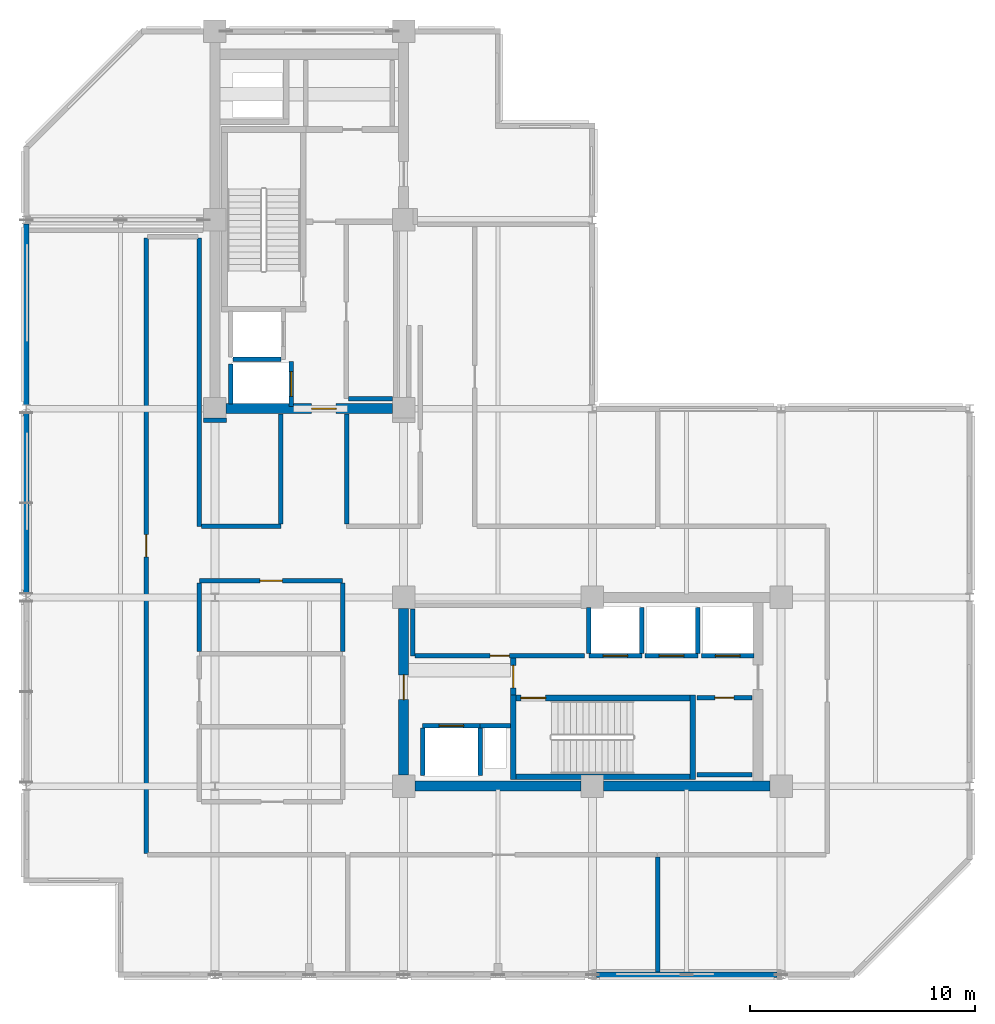
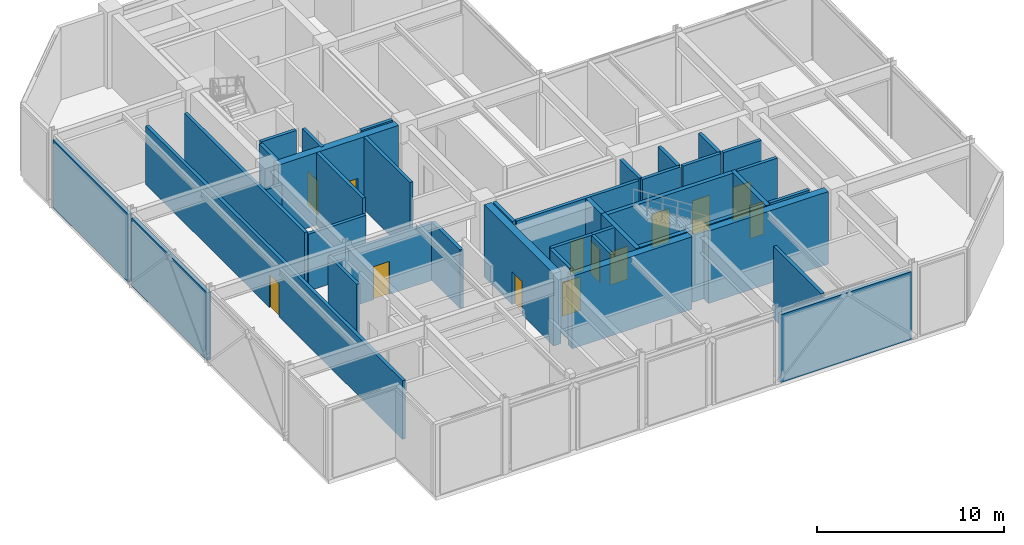
# One storey, part 5 of 10: 40 walls, 13 doors, 13 openings.
"""IFC4 building model written with IfcOpenShell, lengths in metres."""

from ifc_helpers import new_model, si_unit, direction, frame, frame_2d, origin, place, context, subcontext, project, spatial, rectangle, extrude, material, layer, layer_set, type_object, element, fill, save


model = new_model("IFC4")

# Units and contexts
model_context = context("Model", 3, precision=1e-05, world=origin(), true_north=direction((0.0, 1.0)))
body_context = subcontext(model_context, "Body", "Model", "MODEL_VIEW")
ifc_project = project(units=[si_unit("LENGTHUNIT", "METRE"), si_unit("AREAUNIT", "SQUARE_METRE"), si_unit("VOLUMEUNIT", "CUBIC_METRE"), si_unit("PLANEANGLEUNIT", "RADIAN"), si_unit("MASSUNIT", "GRAM", prefix="KILO")], contexts=[model_context])

# Site, building, storey
site_placement = place(None, origin())
site = spatial("IfcSite", under=ifc_project, at=site_placement, CompositionType="ELEMENT")
building_placement = place(site_placement, origin())
building = spatial("IfcBuilding", under=site, at=building_placement, Name="Nerrivon Quay Data Exchange", CompositionType="ELEMENT")
storey_placement = place(building_placement, frame((0.0, 0.0, 245.199951171875)))
storey = spatial("IfcBuildingStorey", under=building, at=storey_placement, Name="L58", CompositionType="ELEMENT", Elevation=245.199951171875)

# Walls
ifc_material_1 = material(Name="Architectural terracotta precast concrete N50 (50 MPa)", Category="masonry")
ifc_layer_1 = layer(ifc_material_1, 0.239990234375)
ifc_layer_set_1 = layer_set([ifc_layer_1], Name="Architectural terracotta precast concrete N50 (50 MPa)")
wall_type_1 = type_object("IfcWallType", Name="EW-PREC-240", PredefinedType="STANDARD", material=ifc_layer_set_1)
wall_1_placement = place(storey_placement, frame((33.425048828125, 0.0, 0.0), z_axis=(0.0, 0.0, 1.0), x_axis=(-1.0, 0.0, 0.0)))
element("IfcWall", 1, at=wall_1_placement, inside=storey, type_object=wall_type_1, Name="L58 Plant Enclosure Wall 3", PredefinedType="STANDARD", context=body_context, shape_type="SweptSolid", body=[
    extrude(rectangle(XDim=8.050048828125, YDim=0.239990234375, at=frame_2d((4.02490234375, 0.0))), origin(), (0.0, 0.0, 1.0), 4.425048828125),
])
wall_2_placement = place(storey_placement, frame((0.0, 16.97509765625, 0.0), z_axis=(0.0, 0.0, 1.0), x_axis=(0.0, 1.0, 0.0)))
element("IfcWall", 2, at=wall_2_placement, inside=storey, type_object=wall_type_1, Name="L58 Plant Enclosure Wall 13", PredefinedType="STANDARD", context=body_context, shape_type="SweptSolid", body=[
    extrude(rectangle(XDim=8.0498046875, YDim=0.239990234375, at=frame_2d((4.02490234375, 0.0))), origin(), (0.0, 0.0, 1.0), 4.425048828125),
])
wall_3_placement = place(storey_placement, frame((0.0, 25.375, 0.0), z_axis=(0.0, 0.0, 1.0), x_axis=(0.0, 1.0, 0.0)))
element("IfcWall", 3, at=wall_3_placement, inside=storey, type_object=wall_type_1, Name="L58 Plant Enclosure Wall 14", PredefinedType="STANDARD", context=body_context, shape_type="SweptSolid", body=[
    extrude(rectangle(XDim=8.050048828125, YDim=0.239990234375, at=frame_2d((4.02490234375, 0.0))), origin(), (0.0, 0.0, 1.0), 4.425048828125),
])

# Wall, opening, door
ifc_material_2 = material(Name="Concrete N50 (50 MPa)", Category="concrete")
ifc_layer_2 = layer(ifc_material_2, 0.449951171875)
ifc_layer_set_2 = layer_set([ifc_layer_2], Name="Concrete N50 (50 MPa)")
wall_type_2 = type_object("IfcWallType", Name="WALL-CW-550", PredefinedType="SHEAR", material=ifc_layer_set_2)
wall_4_placement = place(storey_placement, frame((8.89990234375, 25.199951171875, 0.0), z_axis=(0.0, 0.0, 1.0), x_axis=(1.0, 0.0, 0.0)))
wall_4 = element("IfcWall", 4, at=wall_4_placement, inside=storey, type_object=wall_type_2, Name="L58 West Split-Core Shear Wall WCW-S1", PredefinedType="SHEAR", context=body_context, shape_type="SweptSolid", body=[
    extrude(rectangle(XDim=7.400146484375, YDim=0.449951171875, at=frame_2d((3.7001953125, 0.0))), origin(), (0.0, 0.0, 1.0), 4.72509765625),
])
opening_1_placement = place(wall_4_placement, frame((3.800048828125, 0.0, 0.0)))
opening_1 = element("IfcOpeningElement", 5, at=opening_1_placement, cuts=wall_4, Name="Opening FD-120", PredefinedType="OPENING", context=body_context, shape_type="SweptSolid", body=[
    extrude(rectangle(XDim=1.10009765625, YDim=2.14990234375, at=frame_2d((0.550048828125, 1.074951171875))), frame((0.0, 0.23486328125, 0.0), z_axis=(0.0, -1.0, 0.0), x_axis=(1.0, 0.0, 0.0)), (0.0, 0.0, 1.0), 0.469970703125),
])
ifc_material_3 = material(Name="Powder-coated galvanized steel sheet", Category="steel")
door_type_1 = type_object("IfcDoorType", Name="DR-FD120-1100", OperationType="NOTDEFINED", PredefinedType="DOOR", material=ifc_material_3)
door_1_placement = place(opening_1_placement, origin())
door_1 = element("IfcDoor", 6, at=door_1_placement, inside=storey, type_object=door_type_1, Name="L58 West Core Lobby Fire Door", OperationType="SINGLE_SWING_LEFT", OverallHeight=2.14990234375, OverallWidth=1.10009765625, PredefinedType="DOOR", context=body_context, shape_type="SweptSolid", body=[
    extrude(rectangle(XDim=1.10009765625, YDim=2.14990234375, at=frame_2d((0.550048828125, 1.074951171875))), frame((0.0, 0.02490234375, 0.0), z_axis=(0.0, -1.0, 0.0), x_axis=(1.0, 0.0, 0.0)), (0.0, 0.0, 1.0), 0.050048828125),
])
fill(opening_1, door_1)

# Walls
wall_5_placement = place(storey_placement, frame((17.300048828125, 8.39990234375, 0.0), z_axis=(0.0, 0.0, 1.0), x_axis=(1.0, 0.0, 0.0)))
element("IfcWall", 7, at=wall_5_placement, inside=storey, type_object=wall_type_2, Name="L58 East Split-Core Shear Wall ECW-S1", PredefinedType="SHEAR", context=body_context, shape_type="SweptSolid", body=[
    extrude(rectangle(XDim=7.39990234375, YDim=0.449951171875, at=frame_2d((3.699951171875, 0.0))), origin(), (0.0, 0.0, 1.0), 4.72509765625),
])
wall_6_placement = place(storey_placement, frame((25.699951171875, 8.39990234375, 0.0), z_axis=(0.0, 0.0, 1.0), x_axis=(1.0, 0.0, 0.0)))
element("IfcWall", 8, at=wall_6_placement, inside=storey, type_object=wall_type_2, Name="L58 East Split-Core Shear Wall ECW-S2", PredefinedType="SHEAR", context=body_context, shape_type="SweptSolid", body=[
    extrude(rectangle(XDim=7.400146484375, YDim=0.449951171875, at=frame_2d((3.7001953125, 0.0))), origin(), (0.0, 0.0, 1.0), 4.72509765625),
])

# Wall, opening, door
wall_7_placement = place(storey_placement, frame((16.800048828125, 8.89990234375, 0.0), z_axis=(0.0, 0.0, 1.0), x_axis=(0.0, 1.0, 0.0)))
wall_7 = element("IfcWall", 9, at=wall_7_placement, inside=storey, type_object=wall_type_2, Name="L58 East Split-Core Shear Wall ECW-W1", PredefinedType="SHEAR", context=body_context, shape_type="SweptSolid", body=[
    extrude(rectangle(XDim=7.400146484375, YDim=0.449951171875, at=frame_2d((3.7001953125, 0.0))), origin(), (0.0, 0.0, 1.0), 4.72509765625),
])
opening_2_placement = place(wall_7_placement, frame((3.35009765625, 0.0, 0.0)))
opening_2 = element("IfcOpeningElement", 10, at=opening_2_placement, cuts=wall_7, Name="Opening FD-120", PredefinedType="OPENING", context=body_context, shape_type="SweptSolid", body=[
    extrude(rectangle(XDim=1.10009765625, YDim=2.14990234375, at=frame_2d((0.550048828125, 1.074951171875))), frame((0.0, 0.23486328125, 0.0), z_axis=(0.0, -1.0, 0.0), x_axis=(1.0, 0.0, 0.0)), (0.0, 0.0, 1.0), 0.469970703125),
])
door_2_placement = place(opening_2_placement, origin())
door_2 = element("IfcDoor", 11, at=door_2_placement, inside=storey, type_object=door_type_1, Name="L58 East Core Lobby Fire Door", OperationType="SINGLE_SWING_LEFT", OverallHeight=2.14990234375, OverallWidth=1.10009765625, PredefinedType="DOOR", context=body_context, shape_type="SweptSolid", body=[
    extrude(rectangle(XDim=1.10009765625, YDim=2.14990234375, at=frame_2d((0.550048828125, 1.074951171875))), frame((0.0, 0.02490234375, 0.0), z_axis=(0.0, -1.0, 0.0), x_axis=(1.0, 0.0, 0.0)), (0.0, 0.0, 1.0), 0.050048828125),
])
fill(opening_2, door_2)

# Walls
ifc_material_4 = material(Name="Gypsum plasterboard on cold-formed framing", Category="gypsum")
ifc_layer_3 = layer(ifc_material_4, 0.199951171875)
ifc_layer_set_3 = layer_set([ifc_layer_3], Name="Gypsum plasterboard on cold-formed framing")
wall_type_3 = type_object("IfcWallType", Name="WALL-FW-200", PredefinedType="PARTITIONING", material=ifc_layer_set_3)
wall_8_placement = place(storey_placement, frame((20.199951171875, 11.080078125, 0.0), z_axis=(0.0, 0.0, 1.0), x_axis=(1.0, 0.0, 0.0)))
element("IfcWall", 12, at=wall_8_placement, inside=storey, type_object=wall_type_3, Name="L58 East Core MEP Riser Shaft Wall N", PredefinedType="PARTITIONING", context=body_context, shape_type="SweptSolid", body=[
    extrude(rectangle(XDim=1.35009765625, YDim=0.199951171875, at=frame_2d((0.675048828125, 0.0))), origin(), (0.0, 0.0, 1.0), 4.72509765625),
])
wall_9_placement = place(storey_placement, frame((9.199951171875, 27.39990234375, 0.0), z_axis=(0.0, 0.0, 1.0), x_axis=(1.0, 0.0, 0.0)))
element("IfcWall", 13, at=wall_9_placement, inside=storey, type_object=wall_type_3, Name="L58 Lift Shaft Wall FFL-1 SOUTH", PredefinedType="PARTITIONING", context=body_context, shape_type="SweptSolid", body=[
    extrude(rectangle(XDim=2.150146484375, YDim=0.199951171875, at=frame_2d((1.0751953125, 0.0))), origin(), (0.0, 0.0, 1.0), 4.72509765625),
])

# Wall, opening, door
wall_10_placement = place(storey_placement, frame((11.800048828125, 25.300048828125, 0.0), z_axis=(0.0, 0.0, 1.0), x_axis=(0.0, 1.0, 0.0)))
wall_10 = element("IfcWall", 14, at=wall_10_placement, inside=storey, type_object=wall_type_3, Name="L58 Lift Front Wall SVL-1", PredefinedType="PARTITIONING", context=body_context, shape_type="SweptSolid", body=[
    extrude(rectangle(XDim=2.0, YDim=0.199951171875, at=frame_2d((1.0, 0.0))), origin(), (0.0, 0.0, 1.0), 4.72509765625),
])
opening_3_placement = place(wall_10_placement, frame((0.449951171875, 0.0, 0.0)))
opening_3 = element("IfcOpeningElement", 15, at=opening_3_placement, cuts=wall_10, Name="Opening LD-120", PredefinedType="OPENING", context=body_context, shape_type="SweptSolid", body=[
    extrude(rectangle(XDim=1.10009765625, YDim=2.199951171875, at=frame_2d((0.550048828125, 1.10009765625))), frame((0.0, 0.10986328125, 0.0), z_axis=(0.0, -1.0, 0.0), x_axis=(1.0, 0.0, 0.0)), (0.0, 0.0, 1.0), 0.219970703125),
])
door_type_2 = type_object("IfcDoorType", Name="DR-LIFT-LD120", OperationType="DOUBLE_DOOR_SLIDING", PredefinedType="DOOR", material=ifc_material_3)
door_3_placement = place(opening_3_placement, origin())
door_3 = element("IfcDoor", 16, at=door_3_placement, inside=storey, type_object=door_type_2, Name="L58 Lift Landing Sliding Door SVL-1", OperationType="DOUBLE_DOOR_SLIDING", OverallHeight=2.199951171875, OverallWidth=1.10009765625, PredefinedType="DOOR", context=body_context, shape_type="SweptSolid", body=[
    extrude(rectangle(XDim=1.10009765625, YDim=2.199951171875, at=frame_2d((0.550048828125, 1.10009765625))), frame((0.0, 0.02490234375, 0.0), z_axis=(0.0, -1.0, 0.0), x_axis=(1.0, 0.0, 0.0)), (0.0, 0.0, 1.0), 0.050048828125),
])
fill(opening_3, door_3)

# Wall
wall_11_placement = place(storey_placement, frame((9.10009765625, 25.39990234375, 0.0), z_axis=(0.0, 0.0, 1.0), x_axis=(0.0, 1.0, 0.0)))
element("IfcWall", 17, at=wall_11_placement, inside=storey, type_object=wall_type_3, Name="L58 Lift Shaft Wall SVL-1 WEST", PredefinedType="PARTITIONING", context=body_context, shape_type="SweptSolid", body=[
    extrude(rectangle(XDim=1.800048828125, YDim=0.199951171875, at=frame_2d((0.89990234375, 0.0))), origin(), (0.0, 0.0, 1.0), 4.72509765625),
])

# Wall, opening, door
wall_12_placement = place(storey_placement, frame((17.64990234375, 11.080078125, 0.0), z_axis=(0.0, 0.0, 1.0), x_axis=(1.0, 0.0, 0.0)))
wall_12 = element("IfcWall", 18, at=wall_12_placement, inside=storey, type_object=wall_type_3, Name="L58 Lift Front Wall FFL-2", PredefinedType="PARTITIONING", context=body_context, shape_type="SweptSolid", body=[
    extrude(rectangle(XDim=2.550048828125, YDim=0.199951171875, at=frame_2d((1.27490234375, 0.0))), origin(), (0.0, 0.0, 1.0), 4.72509765625),
])
opening_4_placement = place(wall_12_placement, frame((0.72509765625, 0.0, 0.0)))
opening_4 = element("IfcOpeningElement", 19, at=opening_4_placement, cuts=wall_12, Name="Opening LD-120", PredefinedType="OPENING", context=body_context, shape_type="SweptSolid", body=[
    extrude(rectangle(XDim=1.10009765625, YDim=2.199951171875, at=frame_2d((0.550048828125, 1.10009765625))), frame((0.0, 0.10986328125, 0.0), z_axis=(0.0, -1.0, 0.0), x_axis=(1.0, 0.0, 0.0)), (0.0, 0.0, 1.0), 0.219970703125),
])
door_4_placement = place(opening_4_placement, origin())
door_4 = element("IfcDoor", 20, at=door_4_placement, inside=storey, type_object=door_type_2, Name="L58 Lift Landing Sliding Door FFL-2", OperationType="DOUBLE_DOOR_SLIDING", OverallHeight=2.199951171875, OverallWidth=1.10009765625, PredefinedType="DOOR", context=body_context, shape_type="SweptSolid", body=[
    extrude(rectangle(XDim=1.10009765625, YDim=2.199951171875, at=frame_2d((0.550048828125, 1.10009765625))), frame((0.0, 0.02490234375, 0.0), z_axis=(0.0, -1.0, 0.0), x_axis=(1.0, 0.0, 0.0)), (0.0, 0.0, 1.0), 0.050048828125),
])
fill(opening_4, door_4)

# Walls
for number, where, z_axis, x_axis, name in (
    (21, (20.199951171875, 8.8798828125, 0.0), (0.0, 0.0, 1.0), (0.0, 1.0, 0.0), "L58 Lift Shaft Wall FFL-2 EAST"),
    (22, (17.64990234375, 8.8798828125, 0.0), (0.0, 0.0, 1.0), (0.0, 1.0, 0.0), "L58 Lift Shaft Wall FFL-2 WEST"),
):
    element("IfcWall", number, at=place(storey_placement, frame(where, z_axis=z_axis, x_axis=x_axis)), inside=storey, type_object=wall_type_3, Name=name, PredefinedType="PARTITIONING", context=body_context, shape_type="SweptSolid", body=[
        extrude(rectangle(XDim=2.10009765625, YDim=0.199951171875, at=frame_2d((1.050048828125, 0.0))), origin(), (0.0, 0.0, 1.0), 4.72509765625),
    ])

# Wall, opening, door
wall_13_placement = place(storey_placement, frame((25.050048828125, 14.199951171875, 0.0), z_axis=(0.0, 0.0, 1.0), x_axis=(1.0, 0.0, 0.0)))
wall_13 = element("IfcWall", 23, at=wall_13_placement, inside=storey, type_object=wall_type_3, Name="L58 Lift Front Wall PL7", PredefinedType="PARTITIONING", context=body_context, shape_type="SweptSolid", body=[
    extrude(rectangle(XDim=2.349853515625, YDim=0.199951171875, at=frame_2d((1.1748046875, 0.0))), origin(), (0.0, 0.0, 1.0), 4.72509765625),
])
opening_5_placement = place(wall_13_placement, frame((0.625, 0.0, 0.0)))
opening_5 = element("IfcOpeningElement", 24, at=opening_5_placement, cuts=wall_13, Name="Opening LD-120", PredefinedType="OPENING", context=body_context, shape_type="SweptSolid", body=[
    extrude(rectangle(XDim=1.10009765625, YDim=2.199951171875, at=frame_2d((0.550048828125, 1.10009765625))), frame((0.0, 0.10986328125, 0.0), z_axis=(0.0, -1.0, 0.0), x_axis=(1.0, 0.0, 0.0)), (0.0, 0.0, 1.0), 0.219970703125),
])
door_5_placement = place(opening_5_placement, origin())
door_5 = element("IfcDoor", 25, at=door_5_placement, inside=storey, type_object=door_type_2, Name="L58 Lift Landing Sliding Door PL7", OperationType="DOUBLE_DOOR_SLIDING", OverallHeight=2.199951171875, OverallWidth=1.10009765625, PredefinedType="DOOR", context=body_context, shape_type="SweptSolid", body=[
    extrude(rectangle(XDim=1.10009765625, YDim=2.199951171875, at=frame_2d((0.550048828125, 1.10009765625))), frame((0.0, 0.02490234375, 0.0), z_axis=(0.0, -1.0, 0.0), x_axis=(1.0, 0.0, 0.0)), (0.0, 0.0, 1.0), 0.050048828125),
])
fill(opening_5, door_5)

# Walls
for number, where, z_axis, x_axis, name in (
    (26, (27.39990234375, 14.300048828125, 0.0), (0.0, 0.0, 1.0), (0.0, 1.0, 0.0), "L58 Lift Shaft Wall PL7 EAST"),
    (27, (25.050048828125, 14.300048828125, 0.0), (0.0, 0.0, 1.0), (0.0, 1.0, 0.0), "L58 Lift Shaft Wall PL7 WEST"),
):
    element("IfcWall", number, at=place(storey_placement, frame(where, z_axis=z_axis, x_axis=x_axis)), inside=storey, type_object=wall_type_3, Name=name, PredefinedType="PARTITIONING", context=body_context, shape_type="SweptSolid", body=[
        extrude(rectangle(XDim=2.050048828125, YDim=0.199951171875, at=frame_2d((1.02490234375, 0.0))), origin(), (0.0, 0.0, 1.0), 4.72509765625),
    ])

# Wall, opening, door
wall_14_placement = place(storey_placement, frame((27.550048828125, 14.199951171875, 0.0), z_axis=(0.0, 0.0, 1.0), x_axis=(1.0, 0.0, 0.0)))
wall_14 = element("IfcWall", 28, at=wall_14_placement, inside=storey, type_object=wall_type_3, Name="L58 Lift Front Wall PL8", PredefinedType="PARTITIONING", context=body_context, shape_type="SweptSolid", body=[
    extrude(rectangle(XDim=2.349853515625, YDim=0.199951171875, at=frame_2d((1.1748046875, 0.0))), origin(), (0.0, 0.0, 1.0), 4.72509765625),
])
opening_6_placement = place(wall_14_placement, frame((0.625, 0.0, 0.0)))
opening_6 = element("IfcOpeningElement", 29, at=opening_6_placement, cuts=wall_14, Name="Opening LD-120", PredefinedType="OPENING", context=body_context, shape_type="SweptSolid", body=[
    extrude(rectangle(XDim=1.10009765625, YDim=2.199951171875, at=frame_2d((0.550048828125, 1.10009765625))), frame((0.0, 0.10986328125, 0.0), z_axis=(0.0, -1.0, 0.0), x_axis=(1.0, 0.0, 0.0)), (0.0, 0.0, 1.0), 0.219970703125),
])
door_6_placement = place(opening_6_placement, origin())
door_6 = element("IfcDoor", 30, at=door_6_placement, inside=storey, type_object=door_type_2, Name="L58 Lift Landing Sliding Door PL8", OperationType="DOUBLE_DOOR_SLIDING", OverallHeight=2.199951171875, OverallWidth=1.10009765625, PredefinedType="DOOR", context=body_context, shape_type="SweptSolid", body=[
    extrude(rectangle(XDim=1.10009765625, YDim=2.199951171875, at=frame_2d((0.550048828125, 1.10009765625))), frame((0.0, 0.02490234375, 0.0), z_axis=(0.0, -1.0, 0.0), x_axis=(1.0, 0.0, 0.0)), (0.0, 0.0, 1.0), 0.050048828125),
])
fill(opening_6, door_6)

# Wall
wall_15_placement = place(storey_placement, frame((29.89990234375, 14.300048828125, 0.0), z_axis=(0.0, 0.0, 1.0), x_axis=(0.0, 1.0, 0.0)))
element("IfcWall", 31, at=wall_15_placement, inside=storey, type_object=wall_type_3, Name="L58 Lift Shaft Wall PL8 EAST", PredefinedType="PARTITIONING", context=body_context, shape_type="SweptSolid", body=[
    extrude(rectangle(XDim=2.050048828125, YDim=0.199951171875, at=frame_2d((1.02490234375, 0.0))), origin(), (0.0, 0.0, 1.0), 4.72509765625),
])

# Wall, opening, door
wall_16_placement = place(storey_placement, frame((30.050048828125, 14.199951171875, 0.0), z_axis=(0.0, 0.0, 1.0), x_axis=(1.0, 0.0, 0.0)))
wall_16 = element("IfcWall", 32, at=wall_16_placement, inside=storey, type_object=wall_type_3, Name="L58 Lift Front Wall PL9", PredefinedType="PARTITIONING", context=body_context, shape_type="SweptSolid", body=[
    extrude(rectangle(XDim=2.349853515625, YDim=0.199951171875, at=frame_2d((1.1748046875, 0.0))), origin(), (0.0, 0.0, 1.0), 4.72509765625),
])
opening_7_placement = place(wall_16_placement, frame((0.625, 0.0, 0.0)))
opening_7 = element("IfcOpeningElement", 33, at=opening_7_placement, cuts=wall_16, Name="Opening LD-120", PredefinedType="OPENING", context=body_context, shape_type="SweptSolid", body=[
    extrude(rectangle(XDim=1.10009765625, YDim=2.199951171875, at=frame_2d((0.550048828125, 1.10009765625))), frame((0.0, 0.10986328125, 0.0), z_axis=(0.0, -1.0, 0.0), x_axis=(1.0, 0.0, 0.0)), (0.0, 0.0, 1.0), 0.219970703125),
])
door_7_placement = place(opening_7_placement, origin())
door_7 = element("IfcDoor", 34, at=door_7_placement, inside=storey, type_object=door_type_2, Name="L58 Lift Landing Sliding Door PL9", OperationType="DOUBLE_DOOR_SLIDING", OverallHeight=2.199951171875, OverallWidth=1.10009765625, PredefinedType="DOOR", context=body_context, shape_type="SweptSolid", body=[
    extrude(rectangle(XDim=1.10009765625, YDim=2.199951171875, at=frame_2d((0.550048828125, 1.10009765625))), frame((0.0, 0.02490234375, 0.0), z_axis=(0.0, -1.0, 0.0), x_axis=(1.0, 0.0, 0.0)), (0.0, 0.0, 1.0), 0.050048828125),
])
fill(opening_7, door_7)

# Walls
wall_17_placement = place(storey_placement, frame((14.35400390625, 25.64990234375, 0.0), z_axis=(0.0, 0.0, 1.0), x_axis=(1.0, 0.0, 0.0)))
element("IfcWall", 35, at=wall_17_placement, inside=storey, type_object=wall_type_3, Name="L58 Partition Telemetry Hub Closet", PredefinedType="PARTITIONING", context=body_context, shape_type="SweptSolid", body=[
    extrude(rectangle(XDim=1.94091796875, YDim=0.199951171875, at=frame_2d((0.970458984375, 0.0))), origin(), (0.0, 0.0, 1.0), 4.72509765625),
])
wall_18_placement = place(storey_placement, frame((17.199951171875, 16.294921875, 0.0), z_axis=(0.0, 0.0, 1.0), x_axis=(0.0, -1.0, 0.0)))
element("IfcWall", 36, at=wall_18_placement, inside=storey, type_object=wall_type_3, Name="L58 Partition High-Zone Telemetry Equipment Store", PredefinedType="PARTITIONING", context=body_context, shape_type="SweptSolid", body=[
    extrude(rectangle(XDim=2.094970703125, YDim=0.199951171875, at=frame_2d((1.04736328125, 0.0))), origin(), (0.0, 0.0, 1.0), 4.72509765625),
])

# Wall, opening, door
wall_19_placement = place(storey_placement, frame((17.303955078125, 14.199951171875, 0.0), z_axis=(0.0, 0.0, 1.0), x_axis=(1.0, 0.0, 0.0)))
wall_19 = element("IfcWall", 37, at=wall_19_placement, inside=storey, type_object=wall_type_3, Name="L58 Partition High-Zone Telemetry Equipment Store", PredefinedType="PARTITIONING", context=body_context, shape_type="SweptSolid", body=[
    extrude(rectangle(XDim=7.546142578125, YDim=0.199951171875, at=frame_2d((3.77294921875, 0.0))), origin(), (0.0, 0.0, 1.0), 4.72509765625),
])
opening_8_placement = place(wall_19_placement, frame((3.347900390625, 0.0, 0.0)))
opening_8 = element("IfcOpeningElement", 38, at=opening_8_placement, cuts=wall_19, Name="Opening FD-60S", PredefinedType="OPENING", context=body_context, shape_type="SweptSolid", body=[
    extrude(rectangle(XDim=0.85009765625, YDim=2.14990234375, at=frame_2d((0.425048828125, 1.074951171875))), frame((0.0, 0.10986328125, 0.0), z_axis=(0.0, -1.0, 0.0), x_axis=(1.0, 0.0, 0.0)), (0.0, 0.0, 1.0), 0.219970703125),
])
ifc_material_5 = material(Name="Engineered hardwood timber", Category="wood")
door_type_3 = type_object("IfcDoorType", Name="DR-FD60-850", OperationType="NOTDEFINED", PredefinedType="DOOR", material=ifc_material_5)
door_8_placement = place(opening_8_placement, origin())
door_8 = element("IfcDoor", 39, at=door_8_placement, inside=storey, type_object=door_type_3, Name="L58 Door High-Zone Telemetry Equipment Store", OperationType="SINGLE_SWING_RIGHT", OverallHeight=2.14990234375, OverallWidth=0.85009765625, PredefinedType="DOOR", context=body_context, shape_type="SweptSolid", body=[
    extrude(rectangle(XDim=0.85009765625, YDim=2.14990234375, at=frame_2d((0.425048828125, 1.074951171875))), frame((0.0, 0.02490234375, 0.0), z_axis=(0.0, -1.0, 0.0), x_axis=(1.0, 0.0, 0.0)), (0.0, 0.0, 1.0), 0.050048828125),
])
fill(opening_8, door_8)

wall_20_placement = place(storey_placement, frame((32.300048828125, 12.330078125, 0.0), z_axis=(0.0, 0.0, 1.0), x_axis=(-1.0, 0.0, 0.0)))
wall_20 = element("IfcWall", 40, at=wall_20_placement, inside=storey, type_object=wall_type_3, Name="L58 Partition East Telecom Closet", PredefinedType="PARTITIONING", context=body_context, shape_type="SweptSolid", body=[
    extrude(rectangle(XDim=2.449951171875, YDim=0.199951171875, at=frame_2d((1.22509765625, 0.0))), origin(), (0.0, 0.0, 1.0), 4.72509765625),
])
opening_9_placement = place(wall_20_placement, frame((0.800048828125, 0.0, 0.0)))
opening_9 = element("IfcOpeningElement", 41, at=opening_9_placement, cuts=wall_20, Name="Opening FD-60S", PredefinedType="OPENING", context=body_context, shape_type="SweptSolid", body=[
    extrude(rectangle(XDim=0.85009765625, YDim=2.14990234375, at=frame_2d((0.425048828125, 1.074951171875))), frame((0.0, 0.10986328125, 0.0), z_axis=(0.0, -1.0, 0.0), x_axis=(1.0, 0.0, 0.0)), (0.0, 0.0, 1.0), 0.219970703125),
])
door_9_placement = place(opening_9_placement, origin())
door_9 = element("IfcDoor", 42, at=door_9_placement, inside=storey, type_object=door_type_3, Name="L58 Door East Telecom Closet", OperationType="SINGLE_SWING_LEFT", OverallHeight=2.14990234375, OverallWidth=0.85009765625, PredefinedType="DOOR", context=body_context, shape_type="SweptSolid", body=[
    extrude(rectangle(XDim=0.85009765625, YDim=2.14990234375, at=frame_2d((0.425048828125, 1.074951171875))), frame((0.0, 0.02490234375, 0.0), z_axis=(0.0, -1.0, 0.0), x_axis=(1.0, 0.0, 0.0)), (0.0, 0.0, 1.0), 0.050048828125),
])
fill(opening_9, door_9)

# Wall
wall_21_placement = place(storey_placement, frame((29.85009765625, 8.89990234375, 0.0), z_axis=(0.0, 0.0, 1.0), x_axis=(1.0, 0.0, 0.0)))
element("IfcWall", 43, at=wall_21_placement, inside=storey, type_object=wall_type_3, Name="L58 Partition East Telecom Closet", PredefinedType="PARTITIONING", context=body_context, shape_type="SweptSolid", body=[
    extrude(rectangle(XDim=2.449951171875, YDim=0.199951171875, at=frame_2d((1.22509765625, 0.0))), origin(), (0.0, 0.0, 1.0), 4.72509765625),
])

# Wall, opening, door
wall_22_placement = place(storey_placement, frame((5.340087890625, 5.39990234375, 0.0), z_axis=(0.0, 0.0, 1.0), x_axis=(0.0, 1.0, 0.0)))
wall_22 = element("IfcWall", 44, at=wall_22_placement, inside=storey, type_object=wall_type_3, Name="L58 Partition Standby Generator Hall", PredefinedType="PARTITIONING", context=body_context, shape_type="SweptSolid", body=[
    extrude(rectangle(XDim=27.400146484375, YDim=0.199951171875, at=frame_2d((13.7001953125, 0.0))), origin(), (0.0, 0.0, 1.0), 3.824951171875),
])
opening_10_placement = place(wall_22_placement, frame((13.199951171875, 0.0, 0.0)))
opening_10 = element("IfcOpeningElement", 45, at=opening_10_placement, cuts=wall_22, Name="Opening FD-60", PredefinedType="OPENING", context=body_context, shape_type="SweptSolid", body=[
    extrude(rectangle(XDim=1.0, YDim=2.14990234375, at=frame_2d((0.5, 1.074951171875))), frame((0.0, 0.10986328125, 0.0), z_axis=(0.0, -1.0, 0.0), x_axis=(1.0, 0.0, 0.0)), (0.0, 0.0, 1.0), 0.219970703125),
])
door_type_4 = type_object("IfcDoorType", Name="DR-FD60-1000", OperationType="NOTDEFINED", PredefinedType="DOOR", material=ifc_material_5)
door_10_placement = place(opening_10_placement, origin())
door_10 = element("IfcDoor", 46, at=door_10_placement, inside=storey, type_object=door_type_4, Name="L58 Door Standby Generator Hall", OperationType="SINGLE_SWING_RIGHT", OverallHeight=2.14990234375, OverallWidth=1.0, PredefinedType="DOOR", context=body_context, shape_type="SweptSolid", body=[
    extrude(rectangle(XDim=1.0, YDim=2.14990234375, at=frame_2d((0.5, 1.074951171875))), frame((0.0, 0.02490234375, 0.0), z_axis=(0.0, -1.0, 0.0), x_axis=(1.0, 0.0, 0.0)), (0.0, 0.0, 1.0), 0.050048828125),
])
fill(opening_10, door_10)

# Walls
wall_23_placement = place(storey_placement, frame((7.7099609375, 32.800048828125, 0.0), z_axis=(0.0, 0.0, 1.0), x_axis=(0.0, -1.0, 0.0)))
element("IfcWall", 47, at=wall_23_placement, inside=storey, type_object=wall_type_3, Name="L58 Partition Standby Generator Hall", PredefinedType="PARTITIONING", context=body_context, shape_type="SweptSolid", body=[
    extrude(rectangle(XDim=12.840087890625, YDim=0.199951171875, at=frame_2d((6.419921875, 0.0))), origin(), (0.0, 0.0, 1.0), 3.824951171875),
])
wall_24_placement = place(storey_placement, frame((7.81396484375, 19.9599609375, 0.0), z_axis=(0.0, 0.0, 1.0), x_axis=(1.0, 0.0, 0.0)))
element("IfcWall", 48, at=wall_24_placement, inside=storey, type_object=wall_type_3, Name="L58 Partition Standby Generator Hall", PredefinedType="PARTITIONING", context=body_context, shape_type="SweptSolid", body=[
    extrude(rectangle(XDim=3.526123046875, YDim=0.199951171875, at=frame_2d((1.76318359375, 0.0))), origin(), (0.0, 0.0, 1.0), 3.708984375),
])
wall_25_placement = place(storey_placement, frame((11.340087890625, 20.06396484375, 0.0), z_axis=(0.0, 0.0, 1.0), x_axis=(0.0, 1.0, 0.0)))
element("IfcWall", 49, at=wall_25_placement, inside=storey, type_object=wall_type_3, Name="L58 Partition Standby Generator Hall", PredefinedType="PARTITIONING", context=body_context, shape_type="SweptSolid", body=[
    extrude(rectangle(XDim=4.906982421875, YDim=0.199951171875, at=frame_2d((2.45361328125, 0.0))), origin(), (0.0, 0.0, 1.0), 4.72509765625),
])
wall_26_placement = place(storey_placement, frame((8.90576171875, 24.680908203125, 0.0), z_axis=(0.0, 0.0, 1.0), x_axis=(-0.999999528702, -0.000970873329, 0.0)))
element("IfcWall", 50, at=wall_26_placement, inside=storey, type_object=wall_type_3, Name="L58 Partition Standby Generator Hall", PredefinedType="PARTITIONING", context=body_context, shape_type="SweptSolid", body=[
    extrude(rectangle(XDim=1.005859375, YDim=0.199951171875, at=frame_2d((0.5029296875, 0.0))), origin(), (0.0, 0.0, 1.0), 3.708984375),
])
wall_27_placement = place(storey_placement, frame((28.10595703125, 5.236083984375, 0.0), z_axis=(0.0, 0.0, 1.0), x_axis=(0.0, -1.0, 0.0)))
element("IfcWall", 51, at=wall_27_placement, inside=storey, type_object=wall_type_3, Name="L58 Partition Chiller Plant Room", PredefinedType="PARTITIONING", context=body_context, shape_type="SweptSolid", body=[
    extrude(rectangle(XDim=5.112060546875, YDim=0.199951171875, at=frame_2d((2.55615234375, 0.0))), origin(), (0.0, 0.0, 1.0), 4.72509765625),
])

# Wall, opening, door
wall_28_placement = place(storey_placement, frame((14.090087890625, 17.5400390625, 0.0), z_axis=(0.0, 0.0, 1.0), x_axis=(-1.0, 0.0, 0.0)))
wall_28 = element("IfcWall", 52, at=wall_28_placement, inside=storey, type_object=wall_type_3, Name="L58 Partition Chiller Plant Room 7", PredefinedType="PARTITIONING", context=body_context, shape_type="SweptSolid", body=[
    extrude(rectangle(XDim=6.380126953125, YDim=0.199951171875, at=frame_2d((3.18994140625, 0.0))), origin(), (0.0, 0.0, 1.0), 3.708984375),
])
opening_11_placement = place(wall_28_placement, frame((2.68994140625, 0.0, 0.0)))
opening_11 = element("IfcOpeningElement", 53, at=opening_11_placement, cuts=wall_28, Name="Opening FD-60", PredefinedType="OPENING", context=body_context, shape_type="SweptSolid", body=[
    extrude(rectangle(XDim=1.0, YDim=2.14990234375, at=frame_2d((0.5, 1.074951171875))), frame((0.0, 0.10986328125, 0.0), z_axis=(0.0, -1.0, 0.0), x_axis=(1.0, 0.0, 0.0)), (0.0, 0.0, 1.0), 0.219970703125),
])
door_11_placement = place(opening_11_placement, origin())
door_11 = element("IfcDoor", 54, at=door_11_placement, inside=storey, type_object=door_type_4, Name="L58 Door Chiller Plant Room 7", OperationType="SINGLE_SWING_RIGHT", OverallHeight=2.14990234375, OverallWidth=1.0, PredefinedType="DOOR", context=body_context, shape_type="SweptSolid", body=[
    extrude(rectangle(XDim=1.0, YDim=2.14990234375, at=frame_2d((0.5, 1.074951171875))), frame((0.0, 0.02490234375, 0.0), z_axis=(0.0, -1.0, 0.0), x_axis=(1.0, 0.0, 0.0)), (0.0, 0.0, 1.0), 0.050048828125),
])
fill(opening_11, door_11)

# Walls
for number, where, z_axis, x_axis, name in (
    (55, (7.7099609375, 17.43603515625, 0.0), (0.0, 0.0, 1.0), (0.0, -1.0, 0.0), "L58 Partition Chiller Plant Room 7"),
    (56, (14.090087890625, 14.400146484375, 0.0), (0.0, 0.0, 1.0), (0.0, 1.0, 0.0), "L58 Partition Chiller Plant Room 7"),
):
    element("IfcWall", number, at=place(storey_placement, frame(where, z_axis=z_axis, x_axis=x_axis)), inside=storey, type_object=wall_type_3, Name=name, PredefinedType="PARTITIONING", context=body_context, shape_type="SweptSolid", body=[
        extrude(rectangle(XDim=3.035888671875, YDim=0.199951171875, at=frame_2d((1.51806640625, 0.0))), origin(), (0.0, 0.0, 1.0), 3.824951171875),
    ])
wall_29_placement = place(storey_placement, frame((14.260009765625, 24.970947265625, 0.0), z_axis=(0.0, 0.0, 1.0), x_axis=(0.0, -1.0, 0.0)))
element("IfcWall", 57, at=wall_29_placement, inside=storey, type_object=wall_type_3, Name="L58 Partition Primary AHU Ventilation Room 8", PredefinedType="PARTITIONING", context=body_context, shape_type="SweptSolid", body=[
    extrude(rectangle(XDim=4.906982421875, YDim=0.199951171875, at=frame_2d((2.45361328125, 0.0))), origin(), (0.0, 0.0, 1.0), 4.72509765625),
])
ifc_layer_4 = layer(ifc_material_2, 0.25)
ifc_layer_set_4 = layer_set([ifc_layer_4], Name="Concrete N50 (50 MPa)")
wall_type_4 = type_object("IfcWallType", Name="WALL-SW-250", PredefinedType="SHEAR", material=ifc_layer_set_4)
for number, where, z_axis, x_axis, name in (
    (58, (21.675048828125, 8.699951171875, 0.0), (0.0, 0.0, 1.0), (0.0, 1.0, 0.0), "L58 ST02 Structural Stair Core Wall NEAR"),
    (59, (29.675048828125, 8.699951171875, 0.0), (0.0, 0.0, 1.0), (0.0, 1.0, 0.0), "L58 ST02 Structural Stair Core Wall FAR"),
):
    element("IfcWall", number, at=place(storey_placement, frame(where, z_axis=z_axis, x_axis=x_axis)), inside=storey, type_object=wall_type_4, Name=name, PredefinedType="SHEAR", context=body_context, shape_type="SweptSolid", body=[
        extrude(rectangle(XDim=3.75, YDim=0.25, at=frame_2d((1.875, 0.0))), origin(), (0.0, 0.0, 1.0), 4.72509765625),
    ])
wall_30_placement = place(storey_placement, frame((21.800048828125, 8.824951171875, 0.0), z_axis=(0.0, 0.0, 1.0), x_axis=(1.0, 0.0, 0.0)))
element("IfcWall", 60, at=wall_30_placement, inside=storey, type_object=wall_type_4, Name="L58 ST02 Structural Stair Core Wall LEFT", PredefinedType="SHEAR", context=body_context, shape_type="SweptSolid", body=[
    extrude(rectangle(XDim=7.75, YDim=0.25, at=frame_2d((3.875, 0.0))), origin(), (0.0, 0.0, 1.0), 4.72509765625),
])

# Wall, opening, door
wall_31_placement = place(storey_placement, frame((21.800048828125, 12.324951171875, 0.0), z_axis=(0.0, 0.0, 1.0), x_axis=(1.0, 0.0, 0.0)))
wall_31 = element("IfcWall", 61, at=wall_31_placement, inside=storey, type_object=wall_type_4, Name="L58 ST02 Structural Stair Core Wall RIGHT", PredefinedType="SHEAR", context=body_context, shape_type="SweptSolid", body=[
    extrude(rectangle(XDim=7.75, YDim=0.25, at=frame_2d((3.875, 0.0))), origin(), (0.0, 0.0, 1.0), 4.72509765625),
])
opening_12_placement = place(wall_31_placement, frame((0.219970703125, 0.0, 0.0)))
opening_12 = element("IfcOpeningElement", 62, at=opening_12_placement, cuts=wall_31, Name="Opening FD-120", PredefinedType="OPENING", context=body_context, shape_type="SweptSolid", body=[
    extrude(rectangle(XDim=1.10009765625, YDim=2.14990234375, at=frame_2d((0.550048828125, 1.074951171875))), frame((0.0, 0.135009765625, 0.0), z_axis=(0.0, -1.0, 0.0), x_axis=(1.0, 0.0, 0.0)), (0.0, 0.0, 1.0), 0.27001953125),
])
door_12_placement = place(opening_12_placement, origin())
door_12 = element("IfcDoor", 63, at=door_12_placement, inside=storey, type_object=door_type_1, Name="L58 Protected Stair Door ST02", OperationType="SINGLE_SWING_LEFT", OverallHeight=2.14990234375, OverallWidth=1.10009765625, PredefinedType="DOOR", context=body_context, shape_type="SweptSolid", body=[
    extrude(rectangle(XDim=1.10009765625, YDim=2.14990234375, at=frame_2d((0.550048828125, 1.074951171875))), frame((0.0, 0.02490234375, 0.0), z_axis=(0.0, -1.0, 0.0), x_axis=(1.0, 0.0, 0.0)), (0.0, 0.0, 1.0), 0.050048828125),
])
fill(opening_12, door_12)

wall_32_placement = place(storey_placement, frame((21.679931640625, 12.449951171875, 0.0), z_axis=(0.0, 0.0, 1.0), x_axis=(0.0, 1.0, 0.0)))
wall_32 = element("IfcWall", 64, at=wall_32_placement, inside=storey, type_object=wall_type_4, Name="L58 East Firefighting Lobby Wall", PredefinedType="SHEAR", context=body_context, shape_type="SweptSolid", body=[
    extrude(rectangle(XDim=1.650146484375, YDim=0.25, at=frame_2d((0.8251953125, 0.0))), origin(), (0.0, 0.0, 1.0), 4.72509765625),
])
opening_13_placement = place(wall_32_placement, frame((0.324951171875, 0.0, 0.0)))
opening_13 = element("IfcOpeningElement", 65, at=opening_13_placement, cuts=wall_32, Name="Opening FD-60", PredefinedType="OPENING", context=body_context, shape_type="SweptSolid", body=[
    extrude(rectangle(XDim=1.0, YDim=2.14990234375, at=frame_2d((0.5, 1.074951171875))), frame((0.0, 0.135009765625, 0.0), z_axis=(0.0, -1.0, 0.0), x_axis=(1.0, 0.0, 0.0)), (0.0, 0.0, 1.0), 0.27001953125),
])
door_13_placement = place(opening_13_placement, origin())
door_13 = element("IfcDoor", 66, at=door_13_placement, inside=storey, type_object=door_type_4, Name="L58 East Firefighting Lobby Fire Door", OperationType="SINGLE_SWING_LEFT", OverallHeight=2.14990234375, OverallWidth=1.0, PredefinedType="DOOR", context=body_context, shape_type="SweptSolid", body=[
    extrude(rectangle(XDim=1.0, YDim=2.14990234375, at=frame_2d((0.5, 1.074951171875))), frame((0.0, 0.02490234375, 0.0), z_axis=(0.0, -1.0, 0.0), x_axis=(1.0, 0.0, 0.0)), (0.0, 0.0, 1.0), 0.050048828125),
])
fill(opening_13, door_13)

save(model, "model.ifc")
